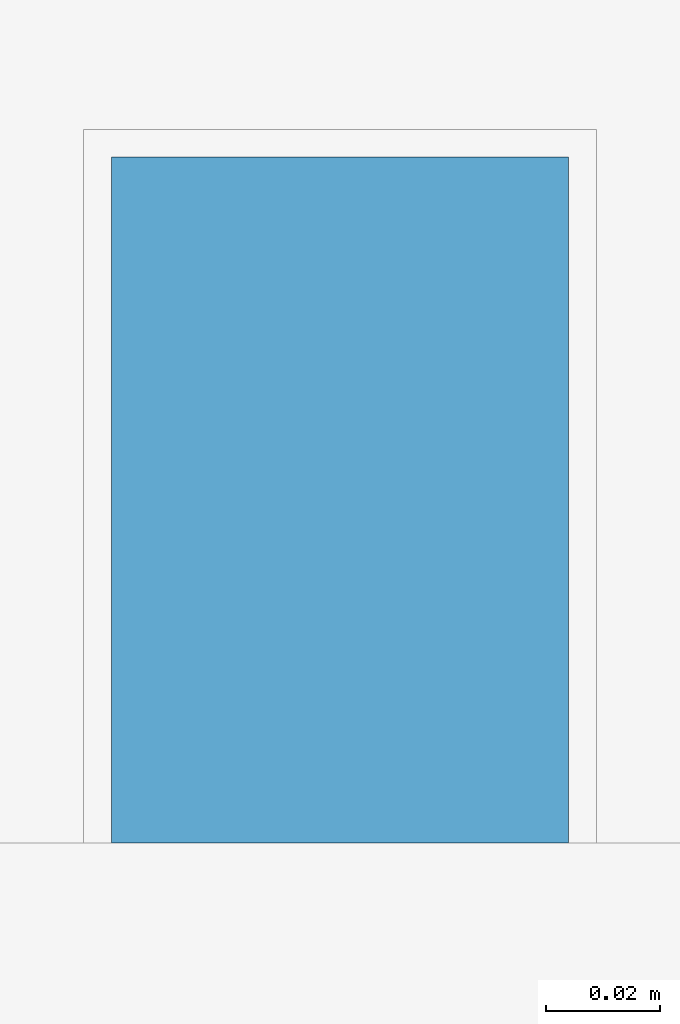
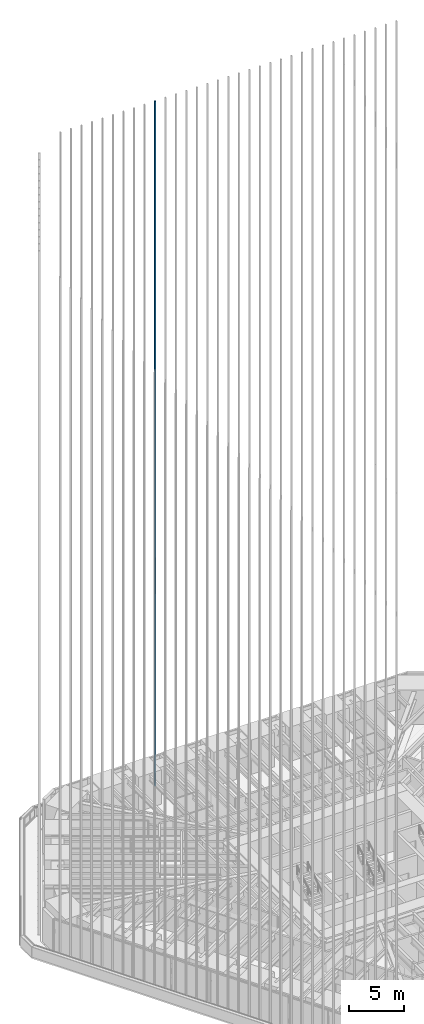
# One storey, part 163 of 238: 1 member, 1 element without a shape of its own.
"""IFC4 building model written with IfcOpenShell, lengths in metres."""

from ifc_helpers import new_model, si_unit, direction, frame, origin, origin_2d, place, context, subcontext, project, spatial, rectangle, extrude, material, material_profile, profile_set, type_object, element, aggregate, save


model = new_model("IFC4")

# Units and contexts
model_context = context("Model", 3, precision=1e-05, world=origin(), true_north=direction((0.0, 1.0)))
body_context = subcontext(model_context, "Body", "Model", "MODEL_VIEW")
ifc_project = project(units=[si_unit("LENGTHUNIT", "METRE"), si_unit("AREAUNIT", "SQUARE_METRE"), si_unit("VOLUMEUNIT", "CUBIC_METRE"), si_unit("PLANEANGLEUNIT", "RADIAN"), si_unit("MASSUNIT", "GRAM", prefix="KILO")], contexts=[model_context])

# Site, building, storey
site_placement = place(None, origin())
site = spatial("IfcSite", under=ifc_project, at=site_placement, CompositionType="ELEMENT")
building_placement = place(site_placement, origin())
building = spatial("IfcBuilding", under=site, at=building_placement, Name="Sandreach Pilgrim Tower", CompositionType="ELEMENT")
storey_placement = place(building_placement, frame((0.0, 0.0, 96.800048828125)))
storey = spatial("IfcBuildingStorey", under=building, at=storey_placement, Name="L23", CompositionType="ELEMENT", Elevation=96.800048828125)

# Curtain wall, member
ifc_material_1 = material(Name="Aluminium framed curtain wall", Category="aluminium")
curtain_wall_type = type_object("IfcCurtainWallType", Name="Hotel tower curtain wall", PredefinedType="NOTDEFINED", material=ifc_material_1)
curtain_wall_placement = place(storey_placement, origin())
curtain_wall = element("IfcCurtainWall", 1, at=curtain_wall_placement, inside=storey, type_object=curtain_wall_type, Name="CW-2 L23 N", PredefinedType="NOTDEFINED")
ifc_material_2 = material(Name="Extruded terracotta on aluminium core", Category="masonry")
ifc_material_profile = material_profile(ifc_material_2, rectangle(XDim=0.080078125, YDim=0.1201171875, at=origin_2d()), Name="TBN 80X120")
ifc_profile_set = profile_set([ifc_material_profile], Name="Extruded terracotta on aluminium core")
member_type = type_object("IfcMemberType", Name="Terracotta baguette north", PredefinedType="USERDEFINED", material=ifc_profile_set)
member_placement = place(storey_placement, frame((-7.695556640625, 22.853759765625, 0.0), z_axis=(0.0, 0.0, 1.0), x_axis=(1.0, 0.0, 0.0)))
member = element("IfcMember", 2, at=member_placement, type_object=member_type, Name="Baguette Z2 N10", ObjectType="BAGUETTE", PredefinedType="USERDEFINED", context=body_context, shape_type="SweptSolid", body=[
    extrude(rectangle(XDim=0.080078125, YDim=0.1201171875, at=origin_2d()), origin(), (0.0, 0.0, 1.0), 75.83984375),
])
aggregate(curtain_wall, [member])

save(model, "model.ifc")
